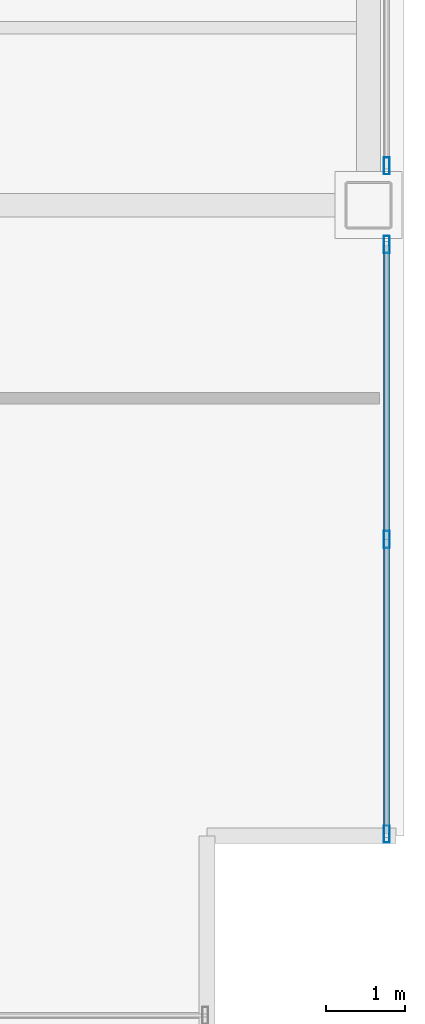
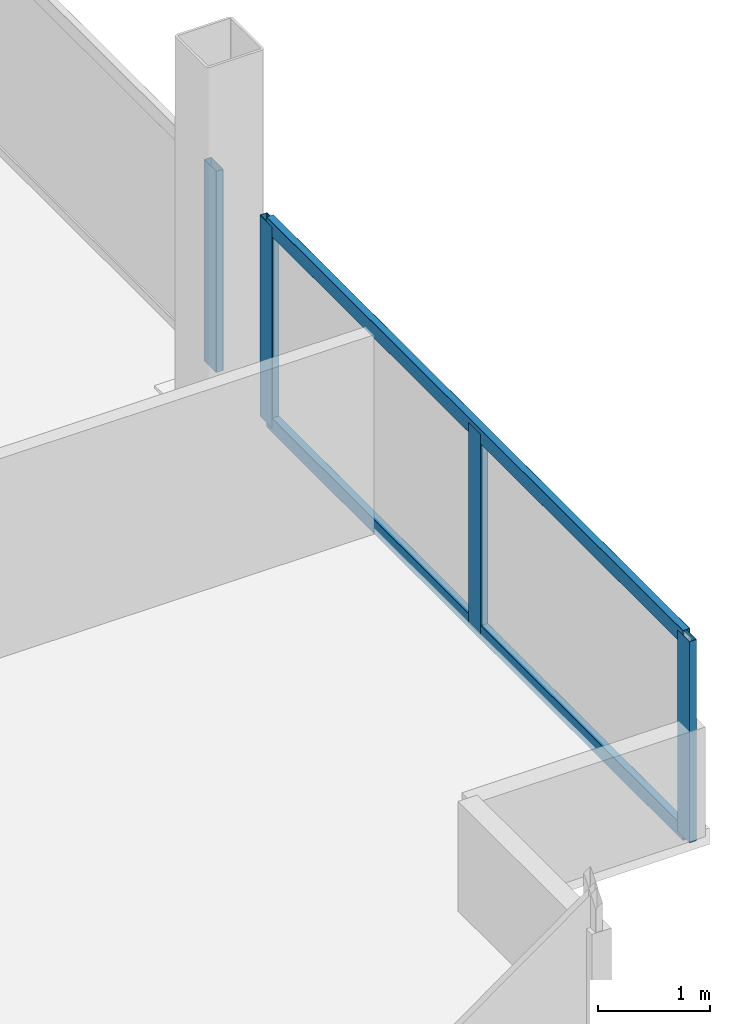
# One storey, part 11 of 21: 6 members, 2 elements without a shape of their own.
"""IFC4 building model written with IfcOpenShell, lengths in metres."""

from ifc_helpers import new_model, si_unit, direction, frame, origin, origin_2d, place, context, subcontext, project, spatial, hollow_rectangle, extrude, material, material_profile, profile_set, type_object, element, aggregate, save


model = new_model("IFC4")

# Units and contexts
model_context = context("Model", 3, precision=1e-05, world=origin(), true_north=direction((0.0, 1.0)))
body_context = subcontext(model_context, "Body", "Model", "MODEL_VIEW")
ifc_project = project(units=[si_unit("LENGTHUNIT", "METRE"), si_unit("AREAUNIT", "SQUARE_METRE"), si_unit("VOLUMEUNIT", "CUBIC_METRE"), si_unit("PLANEANGLEUNIT", "RADIAN"), si_unit("MASSUNIT", "GRAM", prefix="KILO")], contexts=[model_context])

# Site, building, storey
site_placement = place(None, origin())
site = spatial("IfcSite", under=ifc_project, at=site_placement, CompositionType="ELEMENT")
building_placement = place(site_placement, origin())
building = spatial("IfcBuilding", under=site, at=building_placement, Name="Noeulbin Bourse Tower", CompositionType="ELEMENT")
storey_placement = place(building_placement, frame((0.0, 0.0, 96.699951171875)))
storey = spatial("IfcBuildingStorey", under=building, at=storey_placement, Name="L24", CompositionType="ELEMENT", Elevation=96.699951171875)

# Curtain wall, members
ifc_material_1 = material(Name="Dark Solar-Control Double Glazing", Category="glass")
curtain_wall_type = type_object("IfcCurtainWallType", Name="CW-SYS-2", PredefinedType="NOTDEFINED", material=ifc_material_1)
curtain_wall_1_placement = place(storey_placement, origin())
curtain_wall_1 = element("IfcCurtainWall", 1, at=curtain_wall_1_placement, inside=storey, type_object=curtain_wall_type, Name="Unitised Curtain Wall CW-L24-E-S1", PredefinedType="NOTDEFINED")
ifc_material_2 = material(Name="Anodised Aluminium 6063-T6", Category="aluminium")
ifc_material_profile_1 = material_profile(ifc_material_2, hollow_rectangle(XDim=0.074951171875, YDim=0.219970703125, WallThickness=0.0048828125, InnerFilletRadius=0.00244140625, OuterFilletRadius=0.0048828125, at=origin_2d()), Name="ALU-MULL-75x220x5", Category="LoadBearing")
ifc_profile_set_1 = profile_set([ifc_material_profile_1], Name="Anodised Aluminium 6063-T6")
member_type_1 = type_object("IfcMemberType", Name="CW-SYS-2-MUL", PredefinedType="MULLION", material=ifc_profile_set_1)
member_1_placement = place(storey_placement, frame((57.280029296875, 12.02001953125, -0.02001953125), z_axis=(0.0, 0.0, 1.0), x_axis=(1.0, 0.0, 0.0)))
member_1 = element("IfcMember", 2, at=member_1_placement, type_object=member_type_1, Name="Curtain Wall Mullion CW-L24-E-S1-M00", PredefinedType="MULLION", context=body_context, shape_type="SweptSolid", body=[
    extrude(hollow_rectangle(XDim=0.074951171875, YDim=0.219970703125, WallThickness=0.0048828125, InnerFilletRadius=0.00244140625, OuterFilletRadius=0.0048828125, at=origin_2d()), origin(), (0.0, 0.0, 1.0), 2.199951171875),
])
member_2_placement = place(storey_placement, frame((57.280029296875, 15.760009765625, -0.02001953125), z_axis=(0.0, 0.0, 1.0), x_axis=(1.0, 0.0, 0.0)))
member_2 = element("IfcMember", 3, at=member_2_placement, type_object=member_type_1, Name="Curtain Wall Mullion CW-L24-E-S1-M01", PredefinedType="MULLION", context=body_context, shape_type="SweptSolid", body=[
    extrude(hollow_rectangle(XDim=0.074951171875, YDim=0.219970703125, WallThickness=0.0048828125, InnerFilletRadius=0.00244140625, OuterFilletRadius=0.0048828125, at=origin_2d()), origin(), (0.0, 0.0, 1.0), 2.199951171875),
])
member_3_placement = place(storey_placement, frame((57.280029296875, 19.5, -0.02001953125), z_axis=(0.0, 0.0, 1.0), x_axis=(1.0, 0.0, 0.0)))
member_3 = element("IfcMember", 4, at=member_3_placement, type_object=member_type_1, Name="Curtain Wall Mullion CW-L24-E-S1-M02", PredefinedType="MULLION", context=body_context, shape_type="SweptSolid", body=[
    extrude(hollow_rectangle(XDim=0.074951171875, YDim=0.219970703125, WallThickness=0.0048828125, InnerFilletRadius=0.00244140625, OuterFilletRadius=0.0048828125, at=origin_2d()), origin(), (0.0, 0.0, 1.0), 2.199951171875),
])

# Curtain wall, member
curtain_wall_2_placement = place(storey_placement, origin())
curtain_wall_2 = element("IfcCurtainWall", 5, at=curtain_wall_2_placement, inside=storey, type_object=curtain_wall_type, Name="Unitised Curtain Wall CW-L24-E-S2", PredefinedType="NOTDEFINED")
member_4_placement = place(storey_placement, frame((57.280029296875, 20.5, -0.02001953125), z_axis=(0.0, 0.0, 1.0), x_axis=(1.0, 0.0, 0.0)))
member_4 = element("IfcMember", 6, at=member_4_placement, type_object=member_type_1, Name="Curtain Wall Mullion CW-L24-E-S2-M00", PredefinedType="MULLION", context=body_context, shape_type="SweptSolid", body=[
    extrude(hollow_rectangle(XDim=0.074951171875, YDim=0.219970703125, WallThickness=0.0048828125, InnerFilletRadius=0.00244140625, OuterFilletRadius=0.0048828125, at=origin_2d()), origin(), (0.0, 0.0, 1.0), 2.199951171875),
])
aggregate(curtain_wall_2, [member_4])

# Member
ifc_material_profile_2 = material_profile(ifc_material_2, hollow_rectangle(XDim=0.074951171875, YDim=0.159912109375, WallThickness=0.0048828125, InnerFilletRadius=0.00244140625, OuterFilletRadius=0.0048828125, at=origin_2d()), Name="ALU-TRAN-75x160x5", Category="LoadBearing")
ifc_profile_set_2 = profile_set([ifc_material_profile_2], Name="Anodised Aluminium 6063-T6")
member_type_2 = type_object("IfcMemberType", Name="CW-SYS-2-TRN", PredefinedType="USERDEFINED", material=ifc_profile_set_2)
member_5_placement = place(storey_placement, frame((57.280029296875, 12.030029296875, 0.010009765625), z_axis=(0.0, 1.0, 0.0), x_axis=(-1.0, 0.0, 0.0)))
member_5 = element("IfcMember", 7, at=member_5_placement, type_object=member_type_2, Name="Curtain Wall Transom CW-L24-E-S1-T00", ObjectType="TRANSOM", PredefinedType="USERDEFINED", context=body_context, shape_type="SweptSolid", body=[
    extrude(hollow_rectangle(XDim=0.074951171875, YDim=0.159912109375, WallThickness=0.0048828125, InnerFilletRadius=0.00244140625, OuterFilletRadius=0.0048828125, at=origin_2d()), origin(), (0.0, 0.0, 1.0), 7.4599609375),
])

member_6_placement = place(storey_placement, frame((57.280029296875, 12.030029296875, 2.150146484375), z_axis=(0.0, 1.0, 0.0), x_axis=(-1.0, 0.0, 0.0)))
member_6 = element("IfcMember", 8, at=member_6_placement, type_object=member_type_2, Name="Curtain Wall Transom CW-L24-E-S1-T01", ObjectType="TRANSOM", PredefinedType="USERDEFINED", context=body_context, shape_type="SweptSolid", body=[
    extrude(hollow_rectangle(XDim=0.074951171875, YDim=0.159912109375, WallThickness=0.0048828125, InnerFilletRadius=0.00244140625, OuterFilletRadius=0.0048828125, at=origin_2d()), origin(), (0.0, 0.0, 1.0), 7.4599609375),
])

aggregate(curtain_wall_1, [member_1, member_2, member_3, member_5, member_6])

save(model, "model.ifc")
